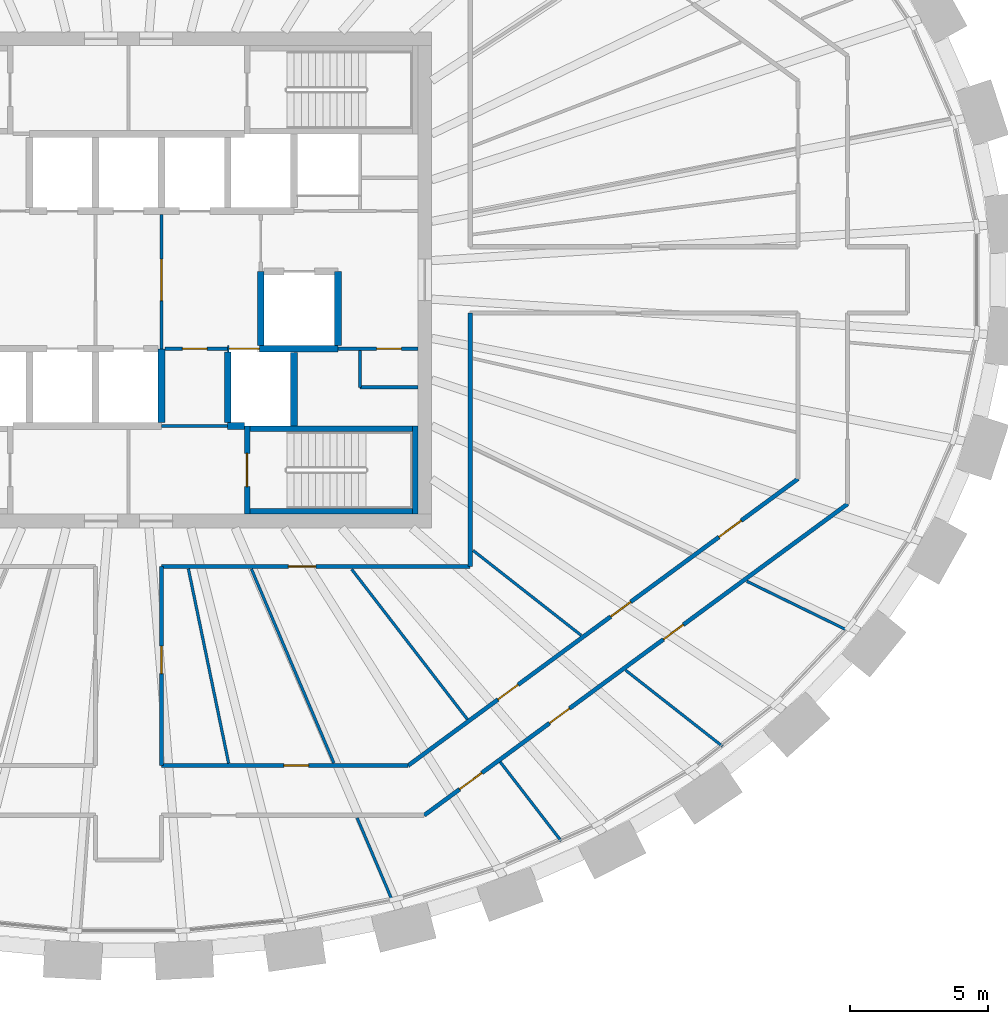
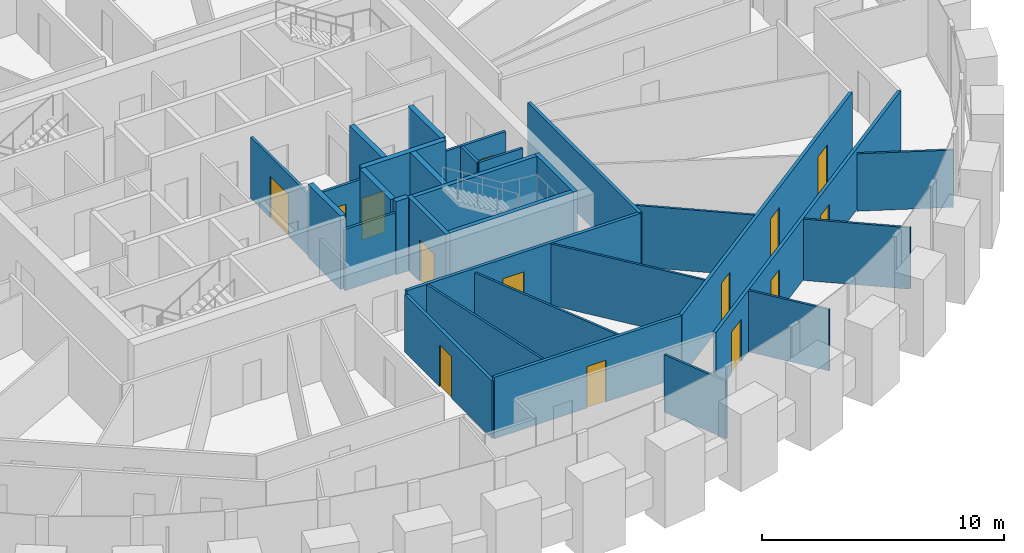
# One storey, part 8 of 12: 31 walls, 14 doors, 14 openings.
"""IFC4 building model written with IfcOpenShell, lengths in metres."""

from ifc_helpers import new_model, si_unit, direction, frame, frame_2d, origin, place, context, subcontext, project, spatial, rectangle, extrude, source, transform, mapped, material, layer, layer_set, type_object, element, fill, save


model = new_model("IFC4")

# Units and contexts
model_context = context("Model", 3, precision=1e-05, world=origin(), true_north=direction((0.0, 1.0)))
body_context = subcontext(model_context, "Body", "Model", "MODEL_VIEW")
ifc_project = project(units=[si_unit("LENGTHUNIT", "METRE"), si_unit("AREAUNIT", "SQUARE_METRE"), si_unit("VOLUMEUNIT", "CUBIC_METRE"), si_unit("PLANEANGLEUNIT", "RADIAN"), si_unit("MASSUNIT", "GRAM", prefix="KILO")], contexts=[model_context])

# Site, building, storey
site_placement = place(None, origin())
site = spatial("IfcSite", under=ifc_project, at=site_placement, CompositionType="ELEMENT")
building_placement = place(site_placement, origin())
building = spatial("IfcBuilding", under=site, at=building_placement, Name="Embergate Tower", CompositionType="ELEMENT")
storey_placement = place(building_placement, frame((0.0, 0.0, 281.199951171875)))
storey = spatial("IfcBuildingStorey", under=building, at=storey_placement, Name="L65", CompositionType="ELEMENT", Elevation=281.199951171875)

# Walls
ifc_material_1 = material(Name="Concrete C50", Category="concrete")
ifc_layer_1 = layer(ifc_material_1, 0.25)
ifc_layer_set_1 = layer_set([ifc_layer_1], Name="Concrete C50")
wall_type_1 = type_object("IfcWallType", Name="Hoistway wall reinforced concrete 250", PredefinedType="SHEAR", material=ifc_layer_set_1)
shared_shape_1 = source(origin(), body_context, "Body", "SweptSolid", [
    extrude(rectangle(XDim=2.675048828125, YDim=0.25, at=frame_2d((1.33740234375, 0.0))), origin(), (0.0, 0.0, 1.0), 3.699951171875),
])
for number, where, z_axis, x_axis, name in (
    (1, (1.199951171875, -5.175048828125, 0.0), (0.0, 0.0, 1.0), (0.0, 1.0, 0.0), "HW-1 wall"),
    (2, (4.800048828125, -2.375, 0.0), (0.0, 0.0, 1.0), (0.0, 1.0, 0.0), "HW-1 wall"),
    (3, (7.60009765625, -2.375, 0.0), (0.0, 0.0, 1.0), (0.0, 1.0, 0.0), "HW-1 wall"),
):
    element("IfcWall", number, at=place(storey_placement, frame(where, z_axis=z_axis, x_axis=x_axis)), inside=storey, type_object=wall_type_1, Name=name, PredefinedType="SHEAR", context=body_context, shape_type="MappedRepresentation", body=[
        mapped(shared_shape_1, transform((0.0, 0.0, 0.0))),
    ])
ifc_layer_2 = layer(ifc_material_1, 0.199951171875)
ifc_layer_set_2 = layer_set([ifc_layer_2], Name="Concrete C50")
wall_type_2 = type_object("IfcWallType", Name="Stair enclosure wall reinforced concrete 250", PredefinedType="SHEAR", material=ifc_layer_set_2)
shared_shape_2 = source(origin(), body_context, "Body", "SweptSolid", [
    extrude(rectangle(XDim=6.300048828125, YDim=0.199951171875, at=frame_2d((3.14990234375, 0.0))), origin(), (0.0, 0.0, 1.0), 3.699951171875),
])
wall_1_placement = place(storey_placement, frame((4.199951171875, -5.39990234375, 0.0), z_axis=(0.0, 0.0, 1.0), x_axis=(1.0, 0.0, 0.0)))
element("IfcWall", 4, at=wall_1_placement, inside=storey, type_object=wall_type_2, Name="SE-1 wall", PredefinedType="SHEAR", context=body_context, shape_type="MappedRepresentation", body=[
    mapped(shared_shape_2, transform((0.0, 0.0, 0.0))),
])
shared_shape_3 = source(origin(), body_context, "Body", "SweptSolid", [
    extrude(rectangle(XDim=2.550048828125, YDim=0.25, at=frame_2d((1.27490234375, 0.0))), origin(), (0.0, 0.0, 1.0), 3.699951171875),
])
wall_2_placement = place(storey_placement, frame((3.60009765625, -2.625, 0.0), z_axis=(0.0, 0.0, 1.0), x_axis=(0.0, -1.0, 0.0)))
element("IfcWall", 5, at=wall_2_placement, inside=storey, type_object=wall_type_1, Name="HW-1 wall", PredefinedType="SHEAR", context=body_context, shape_type="MappedRepresentation", body=[
    mapped(shared_shape_3, transform((0.0, 0.0, 0.0))),
])

# Wall, opening, door
shared_shape_4 = source(origin(), body_context, "Body", "SweptSolid", [
    extrude(rectangle(XDim=3.199951171875, YDim=0.199951171875, at=frame_2d((1.60009765625, 0.0))), origin(), (0.0, 0.0, 1.0), 3.699951171875),
])
wall_3_placement = place(storey_placement, frame((4.300048828125, -5.300048828125, 0.0), z_axis=(0.0, 0.0, 1.0), x_axis=(0.0, -1.0, 0.0)))
wall_3 = element("IfcWall", 6, at=wall_3_placement, inside=storey, type_object=wall_type_2, Name="SE-1 wall", PredefinedType="SHEAR", context=body_context, shape_type="MappedRepresentation", body=[
    mapped(shared_shape_4, transform((0.0, 0.0, 0.0))),
])
shared_shape_5 = source(origin(), body_context, "Body", "SweptSolid", [
    extrude(rectangle(XDim=1.199951171875, YDim=2.10009765625, at=frame_2d((0.60009765625, 1.050048828125))), frame((0.0, 0.10986328125, 0.0), z_axis=(0.0, -1.0, 0.0), x_axis=(1.0, 0.0, 0.0)), (0.0, 0.0, 1.0), 0.219970703125),
])
opening_1_placement = place(wall_3_placement, frame((1.0, 0.0, 0.0)))
opening_1 = element("IfcOpeningElement", 7, at=opening_1_placement, cuts=wall_3, Name="Opening IF-2", PredefinedType="OPENING", context=body_context, shape_type="MappedRepresentation", body=[
    mapped(shared_shape_5, transform((0.0, 0.0, 0.0))),
])
ifc_material_2 = material(Name="Stair enclosure door 1200")
door_type_1 = type_object("IfcDoorType", Name="Stair enclosure door 1200", OperationType="SINGLE_SWING_LEFT", PredefinedType="DOOR", material=ifc_material_2)
shared_shape_6 = source(origin(), body_context, "Body", "SweptSolid", [
    extrude(rectangle(XDim=1.199951171875, YDim=2.10009765625, at=frame_2d((0.60009765625, 1.050048828125))), frame((0.0, 0.02490234375, 0.0), z_axis=(0.0, -1.0, 0.0), x_axis=(1.0, 0.0, 0.0)), (0.0, 0.0, 1.0), 0.050048828125),
])
door_1_placement = place(opening_1_placement, origin())
door_1 = element("IfcDoor", 8, at=door_1_placement, inside=storey, type_object=door_type_1, Name="IF-2 door", OperationType="SINGLE_SWING_LEFT", OverallHeight=2.10009765625, OverallWidth=1.199951171875, PredefinedType="DOOR", context=body_context, shape_type="MappedRepresentation", body=[
    mapped(shared_shape_6, transform((0.0, 0.0, 0.0))),
])
fill(opening_1, door_1)

# Walls
wall_4_placement = place(storey_placement, frame((10.39990234375, -8.5, 0.0), z_axis=(0.0, 0.0, 1.0), x_axis=(0.0, 1.0, 0.0)))
element("IfcWall", 9, at=wall_4_placement, inside=storey, type_object=wall_type_2, Name="SE-1 wall", PredefinedType="SHEAR", context=body_context, shape_type="MappedRepresentation", body=[
    mapped(shared_shape_4, transform((0.0, 0.0, 0.0))),
])
shared_shape_7 = source(origin(), body_context, "Body", "SweptSolid", [
    extrude(rectangle(XDim=0.599853515625, YDim=0.25, at=frame_2d((0.2998046875, 0.0))), origin(), (0.0, 0.0, 1.0), 3.699951171875),
])
wall_5_placement = place(storey_placement, frame((3.60009765625, -5.300048828125, 0.0), z_axis=(0.0, 0.0, 1.0), x_axis=(1.0, 0.0, 0.0)))
element("IfcWall", 10, at=wall_5_placement, inside=storey, type_object=wall_type_1, Name="HW-1 wall", PredefinedType="SHEAR", context=body_context, shape_type="MappedRepresentation", body=[
    mapped(shared_shape_7, transform((0.0, 0.0, 0.0))),
])
shared_shape_8 = source(origin(), body_context, "Body", "SweptSolid", [
    extrude(rectangle(XDim=2.671142578125, YDim=0.25, at=frame_2d((1.33544921875, 0.0))), origin(), (0.0, 0.0, 1.0), 3.699951171875),
])
wall_6_placement = place(storey_placement, frame((6.0, -5.298095703125, 0.0), z_axis=(0.0, 0.0, 1.0), x_axis=(0.0, 1.0, 0.0)))
element("IfcWall", 11, at=wall_6_placement, inside=storey, type_object=wall_type_1, Name="HW-1 wall", PredefinedType="SHEAR", context=body_context, shape_type="MappedRepresentation", body=[
    mapped(shared_shape_8, transform((0.0, 0.0, 0.0))),
])
shared_shape_9 = source(origin(), body_context, "Body", "SweptSolid", [
    extrude(rectangle(XDim=6.298095703125, YDim=0.199951171875, at=frame_2d((3.14892578125, 0.0))), origin(), (0.0, 0.0, 1.0), 3.699951171875),
])
wall_7_placement = place(storey_placement, frame((4.201904296875, -8.39990234375, 0.0), z_axis=(0.0, 0.0, 1.0), x_axis=(1.0, 0.0, 0.0)))
element("IfcWall", 12, at=wall_7_placement, inside=storey, type_object=wall_type_2, Name="SE-1 wall", PredefinedType="SHEAR", context=body_context, shape_type="MappedRepresentation", body=[
    mapped(shared_shape_9, transform((0.0, 0.0, 0.0))),
])
ifc_material_3 = material(Name="Corridor wall dry-lined 150")
ifc_layer_3 = layer(ifc_material_3, 0.14990234375)
ifc_layer_set_3 = layer_set([ifc_layer_3], Name="Corridor wall dry-lined 150")
wall_type_3 = type_object("IfcWallType", Name="Corridor wall dry-lined 150", PredefinedType="PARTITIONING", material=ifc_layer_set_3)
shared_shape_10 = source(origin(), body_context, "Body", "SweptSolid", [
    extrude(rectangle(XDim=9.199951171875, YDim=0.14990234375, at=frame_2d((4.60009765625, 0.0))), origin(), (0.0, 0.0, 1.0), 3.10009765625),
])
wall_8_placement = place(storey_placement, frame((12.39990234375, -10.39990234375, 0.0), z_axis=(0.0, 0.0, 1.0), x_axis=(0.0, 1.0, 0.0)))
element("IfcWall", 13, at=wall_8_placement, inside=storey, type_object=wall_type_3, Name="IP-2 wall", PredefinedType="PARTITIONING", context=body_context, shape_type="MappedRepresentation", body=[
    mapped(shared_shape_10, transform((0.0, 0.0, 0.0))),
])

# Wall, opening, door
shared_shape_11 = source(origin(), body_context, "Body", "SweptSolid", [
    extrude(rectangle(XDim=11.199951171875, YDim=0.14990234375, at=frame_2d((5.60009765625, 0.0))), origin(), (0.0, 0.0, 1.0), 3.10009765625),
])
wall_9_placement = place(storey_placement, frame((12.39990234375, -10.39990234375, 0.0), z_axis=(0.0, 0.0, 1.0), x_axis=(-1.0, 0.0, 0.0)))
wall_9 = element("IfcWall", 14, at=wall_9_placement, inside=storey, type_object=wall_type_3, Name="IP-2 wall", PredefinedType="PARTITIONING", context=body_context, shape_type="MappedRepresentation", body=[
    mapped(shared_shape_11, transform((0.0, 0.0, 0.0))),
])
shared_shape_12 = source(origin(), body_context, "Body", "SweptSolid", [
    extrude(rectangle(XDim=1.0, YDim=2.10009765625, at=frame_2d((0.5, 1.050048828125))), frame((0.0, 0.0849609375, 0.0), z_axis=(0.0, -1.0, 0.0), x_axis=(1.0, 0.0, 0.0)), (0.0, 0.0, 1.0), 0.169921875),
])
opening_2_placement = place(wall_9_placement, frame((5.60107421875, 0.0, 0.0)))
opening_2 = element("IfcOpeningElement", 15, at=opening_2_placement, cuts=wall_9, Name="Opening ID-2", PredefinedType="OPENING", context=body_context, shape_type="MappedRepresentation", body=[
    mapped(shared_shape_12, transform((0.0, 0.0, 0.0))),
])
ifc_material_4 = material(Name="Interior door 1000")
door_type_2 = type_object("IfcDoorType", Name="Interior door 1000", OperationType="SINGLE_SWING_LEFT", PredefinedType="DOOR", material=ifc_material_4)
shared_shape_13 = source(origin(), body_context, "Body", "SweptSolid", [
    extrude(rectangle(XDim=1.0, YDim=2.10009765625, at=frame_2d((0.5, 1.050048828125))), frame((0.0, 0.02490234375, 0.0), z_axis=(0.0, -1.0, 0.0), x_axis=(1.0, 0.0, 0.0)), (0.0, 0.0, 1.0), 0.050048828125),
])
door_2_placement = place(opening_2_placement, origin())
door_2 = element("IfcDoor", 16, at=door_2_placement, inside=storey, type_object=door_type_2, Name="ID-2 door", OperationType="SINGLE_SWING_RIGHT", OverallHeight=2.10009765625, OverallWidth=1.0, PredefinedType="DOOR", context=body_context, shape_type="MappedRepresentation", body=[
    mapped(shared_shape_13, transform((0.0, 0.0, 0.0))),
])
fill(opening_2, door_2)

ifc_material_5 = material(Name="Core partition blockwork 120")
ifc_layer_4 = layer(ifc_material_5, 0.1201171875)
ifc_layer_set_4 = layer_set([ifc_layer_4], Name="Core partition blockwork 120")
wall_type_4 = type_object("IfcWallType", Name="Core partition blockwork 120", PredefinedType="PARTITIONING", material=ifc_layer_set_4)
shared_shape_14 = source(origin(), body_context, "Body", "SweptSolid", [
    extrude(rectangle(XDim=4.875, YDim=0.1201171875, at=frame_2d((2.4375, 0.0))), origin(), (0.0, 0.0, 1.0), 3.10009765625),
])
wall_10_placement = place(storey_placement, frame((1.199951171875, -2.5, 0.0), z_axis=(0.0, 0.0, 1.0), x_axis=(0.0, 1.0, 0.0)))
wall_10 = element("IfcWall", 17, at=wall_10_placement, inside=storey, type_object=wall_type_4, Name="IP-3 wall", PredefinedType="PARTITIONING", context=body_context, shape_type="MappedRepresentation", body=[
    mapped(shared_shape_14, transform((0.0, 0.0, 0.0))),
])
shared_shape_15 = source(origin(), body_context, "Body", "SweptSolid", [
    extrude(rectangle(XDim=1.5, YDim=2.10009765625, at=frame_2d((0.75, 1.050048828125))), frame((0.0, 0.070068359375, 0.0), z_axis=(0.0, -1.0, 0.0), x_axis=(1.0, 0.0, 0.0)), (0.0, 0.0, 1.0), 0.14013671875),
])
opening_3_placement = place(wall_10_placement, frame((1.75, 0.0, 0.0)))
opening_3 = element("IfcOpeningElement", 18, at=opening_3_placement, cuts=wall_10, Name="Opening IF-3", PredefinedType="OPENING", context=body_context, shape_type="MappedRepresentation", body=[
    mapped(shared_shape_15, transform((0.0, 0.0, 0.0))),
])
ifc_material_6 = material(Name="Lobby fire door pair 1500")
door_type_3 = type_object("IfcDoorType", Name="Lobby fire door pair 1500", OperationType="DOUBLE_DOOR_SINGLE_SWING", PredefinedType="DOOR", material=ifc_material_6)
shared_shape_16 = source(origin(), body_context, "Body", "SweptSolid", [
    extrude(rectangle(XDim=1.5, YDim=2.10009765625, at=frame_2d((0.75, 1.050048828125))), frame((0.0, 0.02490234375, 0.0), z_axis=(0.0, -1.0, 0.0), x_axis=(1.0, 0.0, 0.0)), (0.0, 0.0, 1.0), 0.050048828125),
])
door_3_placement = place(opening_3_placement, origin())
door_3 = element("IfcDoor", 19, at=door_3_placement, inside=storey, type_object=door_type_3, Name="IF-3 door", OperationType="DOUBLE_DOOR_SINGLE_SWING", OverallHeight=2.10009765625, OverallWidth=1.5, PredefinedType="DOOR", context=body_context, shape_type="MappedRepresentation", body=[
    mapped(shared_shape_16, transform((0.0, 0.0, 0.0))),
])
fill(opening_3, door_3)

# Wall
shared_shape_17 = source(origin(), body_context, "Body", "SweptSolid", [
    extrude(rectangle(XDim=2.400146484375, YDim=0.1201171875, at=frame_2d((1.2001953125, 0.0))), origin(), (0.0, 0.0, 1.0), 3.10009765625),
])
wall_11_placement = place(storey_placement, frame((3.60009765625, -5.300048828125, 0.0), z_axis=(0.0, 0.0, 1.0), x_axis=(-1.0, 0.0, 0.0)))
element("IfcWall", 20, at=wall_11_placement, inside=storey, type_object=wall_type_4, Name="IP-3 wall", PredefinedType="PARTITIONING", context=body_context, shape_type="MappedRepresentation", body=[
    mapped(shared_shape_17, transform((0.0, 0.0, 0.0))),
])

# Wall, opening, door
shared_shape_18 = source(origin(), body_context, "Body", "SweptSolid", [
    extrude(rectangle(XDim=2.89794921875, YDim=0.1201171875, at=frame_2d((1.448974609375, 0.0))), origin(), (0.0, 0.0, 1.0), 3.10009765625),
])
wall_12_placement = place(storey_placement, frame((7.60205078125, -2.5, 0.0), z_axis=(0.0, 0.0, 1.0), x_axis=(1.0, 0.0, 0.0)))
wall_12 = element("IfcWall", 21, at=wall_12_placement, inside=storey, type_object=wall_type_4, Name="IP-3 wall", PredefinedType="PARTITIONING", context=body_context, shape_type="MappedRepresentation", body=[
    mapped(shared_shape_18, transform((0.0, 0.0, 0.0))),
])
shared_shape_19 = source(origin(), body_context, "Body", "SweptSolid", [
    extrude(rectangle(XDim=0.89990234375, YDim=2.10009765625, at=frame_2d((0.449951171875, 1.050048828125))), frame((0.0, 0.070068359375, 0.0), z_axis=(0.0, -1.0, 0.0), x_axis=(1.0, 0.0, 0.0)), (0.0, 0.0, 1.0), 0.14013671875),
])
opening_4_placement = place(wall_12_placement, frame((1.39794921875, 0.0, 0.0)))
opening_4 = element("IfcOpeningElement", 22, at=opening_4_placement, cuts=wall_12, Name="Opening ID-1", PredefinedType="OPENING", context=body_context, shape_type="MappedRepresentation", body=[
    mapped(shared_shape_19, transform((0.0, 0.0, 0.0))),
])
ifc_material_7 = material(Name="Interior door 900")
door_type_4 = type_object("IfcDoorType", Name="Interior door 900", OperationType="SINGLE_SWING_LEFT", PredefinedType="DOOR", material=ifc_material_7)
shared_shape_20 = source(origin(), body_context, "Body", "SweptSolid", [
    extrude(rectangle(XDim=0.89990234375, YDim=2.10009765625, at=frame_2d((0.449951171875, 1.050048828125))), frame((0.0, 0.02490234375, 0.0), z_axis=(0.0, -1.0, 0.0), x_axis=(1.0, 0.0, 0.0)), (0.0, 0.0, 1.0), 0.050048828125),
])
door_4_placement = place(opening_4_placement, origin())
door_4 = element("IfcDoor", 23, at=door_4_placement, inside=storey, type_object=door_type_4, Name="ID-1 door", OperationType="SINGLE_SWING_LEFT", OverallHeight=2.10009765625, OverallWidth=0.89990234375, PredefinedType="DOOR", context=body_context, shape_type="MappedRepresentation", body=[
    mapped(shared_shape_20, transform((0.0, 0.0, 0.0))),
])
fill(opening_4, door_4)

# Walls
shared_shape_21 = source(origin(), body_context, "Body", "SweptSolid", [
    extrude(rectangle(XDim=2.10009765625, YDim=0.1201171875, at=frame_2d((1.050048828125, 0.0))), origin(), (0.0, 0.0, 1.0), 3.10009765625),
])
wall_13_placement = place(storey_placement, frame((8.39990234375, -3.89990234375, 0.0), z_axis=(0.0, 0.0, 1.0), x_axis=(1.0, 0.0, 0.0)))
element("IfcWall", 24, at=wall_13_placement, inside=storey, type_object=wall_type_4, Name="IP-3 wall", PredefinedType="PARTITIONING", context=body_context, shape_type="MappedRepresentation", body=[
    mapped(shared_shape_21, transform((0.0, 0.0, 0.0))),
])
shared_shape_22 = source(origin(), body_context, "Body", "SweptSolid", [
    extrude(rectangle(XDim=1.337890625, YDim=0.1201171875, at=frame_2d((0.6689453125, 0.0))), origin(), (0.0, 0.0, 1.0), 3.10009765625),
])
wall_14_placement = place(storey_placement, frame((8.39990234375, -2.56201171875, 0.0), z_axis=(0.0, 0.0, 1.0), x_axis=(0.0, -1.0, 0.0)))
element("IfcWall", 25, at=wall_14_placement, inside=storey, type_object=wall_type_4, Name="IP-3 wall", PredefinedType="PARTITIONING", context=body_context, shape_type="MappedRepresentation", body=[
    mapped(shared_shape_22, transform((0.0, 0.0, 0.0))),
])

# Wall, openings, doors
shared_shape_23 = source(origin(), body_context, "Body", "SweptSolid", [
    extrude(rectangle(XDim=19.072265625, YDim=0.14990234375, at=frame_2d((9.5361328125, 0.0))), origin(), (0.0, 0.0, 1.0), 3.10009765625),
])
wall_15_placement = place(storey_placement, frame((10.73193359375, -19.428955078125, 0.0), z_axis=(0.0, 0.0, 1.0), x_axis=(0.805618847725, 0.592434192287, 0.0)))
wall_15 = element("IfcWall", 26, at=wall_15_placement, inside=storey, type_object=wall_type_3, Name="IP-2 wall", PredefinedType="PARTITIONING", context=body_context, shape_type="MappedRepresentation", body=[
    mapped(shared_shape_23, transform((0.0, 0.0, 0.0))),
])
opening_5_placement = place(wall_15_placement, frame((1.59228515625, 0.0, 0.0)))
opening_5 = element("IfcOpeningElement", 27, at=opening_5_placement, cuts=wall_15, Name="Opening ID-2", PredefinedType="OPENING", context=body_context, shape_type="MappedRepresentation", body=[
    mapped(shared_shape_12, transform((0.0, 0.0, 0.0))),
])
shared_shape_24 = source(origin(), body_context, "Body", "SweptSolid", [
    extrude(rectangle(XDim=0.89990234375, YDim=2.10009765625, at=frame_2d((0.449951171875, 1.050048828125))), frame((0.0, 0.0849609375, 0.0), z_axis=(0.0, -1.0, 0.0), x_axis=(1.0, 0.0, 0.0)), (0.0, 0.0, 1.0), 0.169921875),
])
opening_6_placement = place(wall_15_placement, frame((5.640625, 0.0, 0.0)))
opening_6 = element("IfcOpeningElement", 28, at=opening_6_placement, cuts=wall_15, Name="Opening IF-1c", PredefinedType="OPENING", context=body_context, shape_type="MappedRepresentation", body=[
    mapped(shared_shape_24, transform((0.0, 0.0, 0.0))),
])
opening_7_placement = place(wall_15_placement, frame((10.7734375, 0.0, 0.0)))
opening_7 = element("IfcOpeningElement", 29, at=opening_7_placement, cuts=wall_15, Name="Opening IF-1c", PredefinedType="OPENING", context=body_context, shape_type="MappedRepresentation", body=[
    mapped(shared_shape_24, transform((0.0, 0.0, 0.0))),
])
ifc_material_8 = material(Name="Escape fire door 900")
door_type_5 = type_object("IfcDoorType", Name="Escape fire door 900", OperationType="SINGLE_SWING_LEFT", PredefinedType="DOOR", material=ifc_material_8)
door_5_placement = place(opening_6_placement, origin())
door_5 = element("IfcDoor", 30, at=door_5_placement, inside=storey, type_object=door_type_5, Name="IF-1 door", OperationType="SINGLE_SWING_RIGHT", OverallHeight=2.10009765625, OverallWidth=0.89990234375, PredefinedType="DOOR", context=body_context, shape_type="MappedRepresentation", body=[
    mapped(shared_shape_20, transform((0.0, 0.0, 0.0))),
])
fill(opening_6, door_5)
door_6_placement = place(opening_7_placement, origin())
door_6 = element("IfcDoor", 31, at=door_6_placement, inside=storey, type_object=door_type_5, Name="IF-1 door", OperationType="SINGLE_SWING_RIGHT", OverallHeight=2.10009765625, OverallWidth=0.89990234375, PredefinedType="DOOR", context=body_context, shape_type="MappedRepresentation", body=[
    mapped(shared_shape_20, transform((0.0, 0.0, 0.0))),
])
fill(opening_7, door_6)
door_7_placement = place(opening_5_placement, origin())
door_7 = element("IfcDoor", 32, at=door_7_placement, inside=storey, type_object=door_type_2, Name="ID-2 door", OperationType="SINGLE_SWING_RIGHT", OverallHeight=2.10009765625, OverallWidth=1.0, PredefinedType="DOOR", context=body_context, shape_type="MappedRepresentation", body=[
    mapped(shared_shape_13, transform((0.0, 0.0, 0.0))),
])
fill(opening_5, door_7)

shared_shape_25 = source(origin(), body_context, "Body", "SweptSolid", [
    extrude(rectangle(XDim=17.570068359375, YDim=0.14990234375, at=frame_2d((8.78515625, 0.0))), origin(), (0.0, 0.0, 1.0), 3.10009765625),
])
wall_16_placement = place(storey_placement, frame((10.14208984375, -17.62890625, 0.0), z_axis=(0.0, 0.0, 1.0), x_axis=(0.805628581617, 0.592420955471, 0.0)))
wall_16 = element("IfcWall", 33, at=wall_16_placement, inside=storey, type_object=wall_type_3, Name="IP-2 wall", PredefinedType="PARTITIONING", context=body_context, shape_type="MappedRepresentation", body=[
    mapped(shared_shape_25, transform((0.0, 0.0, 0.0))),
])
opening_8_placement = place(wall_16_placement, frame((4.05615234375, 0.0, 0.0)))
opening_8 = element("IfcOpeningElement", 34, at=opening_8_placement, cuts=wall_16, Name="Opening IF-1c", PredefinedType="OPENING", context=body_context, shape_type="MappedRepresentation", body=[
    mapped(shared_shape_24, transform((0.0, 0.0, 0.0))),
])
opening_9_placement = place(wall_16_placement, frame((9.12939453125, 0.0, 0.0)))
opening_9 = element("IfcOpeningElement", 35, at=opening_9_placement, cuts=wall_16, Name="Opening IF-1c", PredefinedType="OPENING", context=body_context, shape_type="MappedRepresentation", body=[
    mapped(shared_shape_24, transform((0.0, 0.0, 0.0))),
])
opening_10_placement = place(wall_16_placement, frame((14.008544921875, 0.0, 0.0)))
opening_10 = element("IfcOpeningElement", 36, at=opening_10_placement, cuts=wall_16, Name="Opening ID-2", PredefinedType="OPENING", context=body_context, shape_type="MappedRepresentation", body=[
    mapped(shared_shape_12, transform((0.0, 0.0, 0.0))),
])
door_8_placement = place(opening_8_placement, origin())
door_8 = element("IfcDoor", 37, at=door_8_placement, inside=storey, type_object=door_type_5, Name="IF-1 door", OperationType="SINGLE_SWING_LEFT", OverallHeight=2.10009765625, OverallWidth=0.89990234375, PredefinedType="DOOR", context=body_context, shape_type="MappedRepresentation", body=[
    mapped(shared_shape_20, transform((0.0, 0.0, 0.0))),
])
fill(opening_8, door_8)
door_9_placement = place(opening_9_placement, origin())
door_9 = element("IfcDoor", 38, at=door_9_placement, inside=storey, type_object=door_type_5, Name="IF-1 door", OperationType="SINGLE_SWING_LEFT", OverallHeight=2.10009765625, OverallWidth=0.89990234375, PredefinedType="DOOR", context=body_context, shape_type="MappedRepresentation", body=[
    mapped(shared_shape_20, transform((0.0, 0.0, 0.0))),
])
fill(opening_9, door_9)
door_10_placement = place(opening_10_placement, origin())
door_10 = element("IfcDoor", 39, at=door_10_placement, inside=storey, type_object=door_type_2, Name="ID-2 door", OperationType="SINGLE_SWING_LEFT", OverallHeight=2.10009765625, OverallWidth=1.0, PredefinedType="DOOR", context=body_context, shape_type="MappedRepresentation", body=[
    mapped(shared_shape_13, transform((0.0, 0.0, 0.0))),
])
fill(opening_10, door_10)

# Wall, opening, door
shared_shape_26 = source(origin(), body_context, "Body", "SweptSolid", [
    extrude(rectangle(XDim=8.942138671875, YDim=0.14990234375, at=frame_2d((4.47119140625, 0.0))), origin(), (0.0, 0.0, 1.0), 3.10009765625),
])
wall_17_placement = place(storey_placement, frame((1.199951171875, -17.62890625, 0.0), z_axis=(0.0, 0.0, 1.0), x_axis=(1.0, 0.0, 0.0)))
wall_17 = element("IfcWall", 40, at=wall_17_placement, inside=storey, type_object=wall_type_3, Name="IP-2 wall", PredefinedType="PARTITIONING", context=body_context, shape_type="MappedRepresentation", body=[
    mapped(shared_shape_26, transform((0.0, 0.0, 0.0))),
])
opening_11_placement = place(wall_17_placement, frame((4.43701171875, 0.0, 0.0)))
opening_11 = element("IfcOpeningElement", 41, at=opening_11_placement, cuts=wall_17, Name="Opening IF-1c", PredefinedType="OPENING", context=body_context, shape_type="MappedRepresentation", body=[
    mapped(shared_shape_24, transform((0.0, 0.0, 0.0))),
])
door_11_placement = place(opening_11_placement, origin())
door_11 = element("IfcDoor", 42, at=door_11_placement, inside=storey, type_object=door_type_5, Name="IF-1 door", OperationType="SINGLE_SWING_LEFT", OverallHeight=2.10009765625, OverallWidth=0.89990234375, PredefinedType="DOOR", context=body_context, shape_type="MappedRepresentation", body=[
    mapped(shared_shape_20, transform((0.0, 0.0, 0.0))),
])
fill(opening_11, door_11)

shared_shape_27 = source(origin(), body_context, "Body", "SweptSolid", [
    extrude(rectangle(XDim=7.22900390625, YDim=0.14990234375, at=frame_2d((3.614501953125, 0.0))), origin(), (0.0, 0.0, 1.0), 2.900146484375),
])
wall_18_placement = place(storey_placement, frame((1.199951171875, -10.39990234375, 0.0), z_axis=(0.0, 0.0, 1.0), x_axis=(0.0, -1.0, 0.0)))
wall_18 = element("IfcWall", 43, at=wall_18_placement, inside=storey, type_object=wall_type_3, Name="IP-2 wall", PredefinedType="PARTITIONING", context=body_context, shape_type="MappedRepresentation", body=[
    mapped(shared_shape_27, transform((0.0, 0.0, 0.0))),
])
opening_12_placement = place(wall_18_placement, frame((2.888916015625, 0.0, 0.0)))
opening_12 = element("IfcOpeningElement", 44, at=opening_12_placement, cuts=wall_18, Name="Opening ID-2", PredefinedType="OPENING", context=body_context, shape_type="MappedRepresentation", body=[
    mapped(shared_shape_12, transform((0.0, 0.0, 0.0))),
])
door_12_placement = place(opening_12_placement, origin())
door_12 = element("IfcDoor", 45, at=door_12_placement, inside=storey, type_object=door_type_2, Name="ID-2 door", OperationType="SINGLE_SWING_LEFT", OverallHeight=2.10009765625, OverallWidth=1.0, PredefinedType="DOOR", context=body_context, shape_type="MappedRepresentation", body=[
    mapped(shared_shape_13, transform((0.0, 0.0, 0.0))),
])
fill(opening_12, door_12)

# Walls
ifc_material_9 = material(Name="Partition dry-lined 100")
ifc_layer_5 = layer(ifc_material_9, 0.10009765625)
ifc_layer_set_5 = layer_set([ifc_layer_5], Name="Partition dry-lined 100")
wall_type_5 = type_object("IfcWallType", Name="Partition dry-lined 100", PredefinedType="PARTITIONING", material=ifc_layer_set_5)
shared_shape_28 = source(origin(), body_context, "Body", "SweptSolid", [
    extrude(rectangle(XDim=4.0029296875, YDim=0.10009765625, at=frame_2d((2.00146484375, 0.0))), origin(), (0.0, 0.0, 1.0), 2.900146484375),
])
wall_19_placement = place(storey_placement, frame((22.44189453125, -10.93994140625, 0.0), z_axis=(0.0, 0.0, 1.0), x_axis=(0.898870999174, -0.438213334853, 0.0)))
element("IfcWall", 46, at=wall_19_placement, inside=storey, type_object=wall_type_5, Name="IP-1 wall", PredefinedType="PARTITIONING", context=body_context, shape_type="MappedRepresentation", body=[
    mapped(shared_shape_28, transform((0.0, 0.0, 0.0))),
])
shared_shape_29 = source(origin(), body_context, "Body", "SweptSolid", [
    extrude(rectangle(XDim=3.222412109375, YDim=0.10009765625, at=frame_2d((1.611328125, 0.0))), origin(), (0.0, 0.0, 1.0), 2.900146484375),
])
wall_20_placement = place(storey_placement, frame((8.297119140625, -19.52392578125, 0.0), z_axis=(0.0, 0.0, 1.0), x_axis=(0.390927263481, -0.920421574425, 0.0)))
element("IfcWall", 47, at=wall_20_placement, inside=storey, type_object=wall_type_5, Name="IP-1 wall", PredefinedType="PARTITIONING", context=body_context, shape_type="MappedRepresentation", body=[
    mapped(shared_shape_29, transform((0.0, 0.0, 0.0))),
])
shared_shape_30 = source(origin(), body_context, "Body", "SweptSolid", [
    extrude(rectangle(XDim=7.649169921875, YDim=0.10009765625, at=frame_2d((3.82470703125, 0.0))), origin(), (0.0, 0.0, 1.0), 2.900146484375),
])
wall_21_placement = place(storey_placement, frame((4.4599609375, -10.4951171875, 0.0), z_axis=(0.0, 0.0, 1.0), x_axis=(0.391144019601, -0.920329482267, 0.0)))
element("IfcWall", 48, at=wall_21_placement, inside=storey, type_object=wall_type_5, Name="IP-1 wall", PredefinedType="PARTITIONING", context=body_context, shape_type="MappedRepresentation", body=[
    mapped(shared_shape_30, transform((0.0, 0.0, 0.0))),
])
shared_shape_31 = source(origin(), body_context, "Body", "SweptSolid", [
    extrude(rectangle(XDim=7.208740234375, YDim=0.10009765625, at=frame_2d((3.6044921875, 0.0))), origin(), (0.0, 0.0, 1.0), 3.10009765625),
])
wall_22_placement = place(storey_placement, frame((2.172119140625, -10.485107421875, 0.0), z_axis=(0.0, 0.0, 1.0), x_axis=(0.202800465458, -0.979220083132, 0.0)))
element("IfcWall", 49, at=wall_22_placement, inside=storey, type_object=wall_type_5, Name="IP-1 wall", PredefinedType="PARTITIONING", context=body_context, shape_type="MappedRepresentation", body=[
    mapped(shared_shape_31, transform((0.0, 0.0, 0.0))),
])
shared_shape_32 = source(origin(), body_context, "Body", "SweptSolid", [
    extrude(rectangle(XDim=3.621826171875, YDim=0.10009765625, at=frame_2d((1.81103515625, 0.0))), origin(), (0.0, 0.0, 1.0), 3.10009765625),
])
wall_23_placement = place(storey_placement, frame((13.489013671875, -17.4951171875, 0.0), z_axis=(0.0, 0.0, 1.0), x_axis=(0.610720139091, -0.791846520298, 0.0)))
element("IfcWall", 50, at=wall_23_placement, inside=storey, type_object=wall_type_5, Name="IP-1 wall", PredefinedType="PARTITIONING", context=body_context, shape_type="MappedRepresentation", body=[
    mapped(shared_shape_32, transform((0.0, 0.0, 0.0))),
])
shared_shape_33 = source(origin(), body_context, "Body", "SweptSolid", [
    extrude(rectangle(XDim=4.472412109375, YDim=0.10009765625, at=frame_2d((2.236328125, 0.0))), origin(), (0.0, 0.0, 1.0), 3.10009765625),
])
wall_24_placement = place(storey_placement, frame((18.0390625, -14.166015625, 0.0), z_axis=(0.0, 0.0, 1.0), x_axis=(0.786539906833, -0.617539452148, 0.0)))
element("IfcWall", 51, at=wall_24_placement, inside=storey, type_object=wall_type_5, Name="IP-1 wall", PredefinedType="PARTITIONING", context=body_context, shape_type="MappedRepresentation", body=[
    mapped(shared_shape_33, transform((0.0, 0.0, 0.0))),
])
shared_shape_34 = source(origin(), body_context, "Body", "SweptSolid", [
    extrude(rectangle(XDim=6.8759765625, YDim=0.10009765625, at=frame_2d((3.43798828125, 0.0))), origin(), (0.0, 0.0, 1.0), 3.10009765625),
])
wall_25_placement = place(storey_placement, frame((8.10009765625, -10.5048828125, 0.0), z_axis=(0.0, 0.0, 1.0), x_axis=(0.610666073222, -0.791888216237, 0.0)))
element("IfcWall", 52, at=wall_25_placement, inside=storey, type_object=wall_type_5, Name="IP-1 wall", PredefinedType="PARTITIONING", context=body_context, shape_type="MappedRepresentation", body=[
    mapped(shared_shape_34, transform((0.0, 0.0, 0.0))),
])
shared_shape_35 = source(origin(), body_context, "Body", "SweptSolid", [
    extrude(rectangle(XDim=4.983154296875, YDim=0.10009765625, at=frame_2d((2.49169921875, 0.0))), origin(), (0.0, 0.0, 1.0), 3.10009765625),
])
wall_26_placement = place(storey_placement, frame((12.506103515625, -9.821044921875, 0.0), z_axis=(0.0, 0.0, 1.0), x_axis=(0.786444129248, -0.617661421469, 0.0)))
element("IfcWall", 53, at=wall_26_placement, inside=storey, type_object=wall_type_5, Name="IP-1 wall", PredefinedType="PARTITIONING", context=body_context, shape_type="MappedRepresentation", body=[
    mapped(shared_shape_35, transform((0.0, 0.0, 0.0))),
])

# Wall, opening, door
shared_shape_36 = source(origin(), body_context, "Body", "SweptSolid", [
    extrude(rectangle(XDim=3.997802734375, YDim=0.25, at=frame_2d((1.9990234375, 0.0))), origin(), (0.0, 0.0, 1.0), 3.699951171875),
])
wall_27_placement = place(storey_placement, frame((7.597900390625, -2.5, 0.0), z_axis=(0.0, 0.0, 1.0), x_axis=(-1.0, 0.0, 0.0)))
wall_27 = element("IfcWall", 54, at=wall_27_placement, inside=storey, type_object=wall_type_1, Name="HW-1 wall", PredefinedType="SHEAR", context=body_context, shape_type="MappedRepresentation", body=[
    mapped(shared_shape_36, transform((0.0, 0.0, 0.0))),
])
shared_shape_37 = source(origin(), body_context, "Body", "SweptSolid", [
    extrude(rectangle(XDim=1.10009765625, YDim=2.10009765625, at=frame_2d((0.550048828125, 1.050048828125))), frame((0.0, 0.135009765625, 0.0), z_axis=(0.0, -1.0, 0.0), x_axis=(1.0, 0.0, 0.0)), (0.0, 0.0, 1.0), 0.27001953125),
])
opening_13_placement = place(wall_27_placement, frame((2.847900390625, 0.0, 0.0)))
opening_13 = element("IfcOpeningElement", 55, at=opening_13_placement, cuts=wall_27, Name="Opening LD", PredefinedType="OPENING", context=body_context, shape_type="MappedRepresentation", body=[
    mapped(shared_shape_37, transform((0.0, 0.0, 0.0))),
])
ifc_material_10 = material(Name="Landing door sliding 1100")
door_type_6 = type_object("IfcDoorType", Name="Landing door sliding 1100", OperationType="SLIDING_TO_LEFT", PredefinedType="DOOR", material=ifc_material_10)
shared_shape_38 = source(origin(), body_context, "Body", "SweptSolid", [
    extrude(rectangle(XDim=1.10009765625, YDim=2.10009765625, at=frame_2d((0.550048828125, 1.050048828125))), frame((0.0, 0.02490234375, 0.0), z_axis=(0.0, -1.0, 0.0), x_axis=(1.0, 0.0, 0.0)), (0.0, 0.0, 1.0), 0.050048828125),
])
door_13_placement = place(opening_13_placement, origin())
door_13 = element("IfcDoor", 56, at=door_13_placement, inside=storey, type_object=door_type_6, Name="LD door", OperationType="SLIDING_TO_RIGHT", OverallHeight=2.10009765625, OverallWidth=1.10009765625, PredefinedType="DOOR", context=body_context, shape_type="MappedRepresentation", body=[
    mapped(shared_shape_38, transform((0.0, 0.0, 0.0))),
])
fill(opening_13, door_13)

shared_shape_39 = source(origin(), body_context, "Body", "SweptSolid", [
    extrude(rectangle(XDim=2.275146484375, YDim=0.1201171875, at=frame_2d((1.1376953125, 0.0))), origin(), (0.0, 0.0, 1.0), 3.10009765625),
])
wall_28_placement = place(storey_placement, frame((1.324951171875, -2.5, 0.0), z_axis=(0.0, 0.0, 1.0), x_axis=(1.0, 0.0, 0.0)))
wall_28 = element("IfcWall", 57, at=wall_28_placement, inside=storey, type_object=wall_type_4, Name="IP-3 wall", PredefinedType="PARTITIONING", context=body_context, shape_type="MappedRepresentation", body=[
    mapped(shared_shape_39, transform((0.0, 0.0, 0.0))),
])
opening_14_placement = place(wall_28_placement, frame((0.625, 0.0, 0.0)))
opening_14 = element("IfcOpeningElement", 58, at=opening_14_placement, cuts=wall_28, Name="Opening ID-1", PredefinedType="OPENING", context=body_context, shape_type="MappedRepresentation", body=[
    mapped(shared_shape_19, transform((0.0, 0.0, 0.0))),
])
door_14_placement = place(opening_14_placement, origin())
door_14 = element("IfcDoor", 59, at=door_14_placement, inside=storey, type_object=door_type_4, Name="ID-1 door", OperationType="SINGLE_SWING_RIGHT", OverallHeight=2.10009765625, OverallWidth=0.89990234375, PredefinedType="DOOR", context=body_context, shape_type="MappedRepresentation", body=[
    mapped(shared_shape_20, transform((0.0, 0.0, 0.0))),
])
fill(opening_14, door_14)

save(model, "model.ifc")
